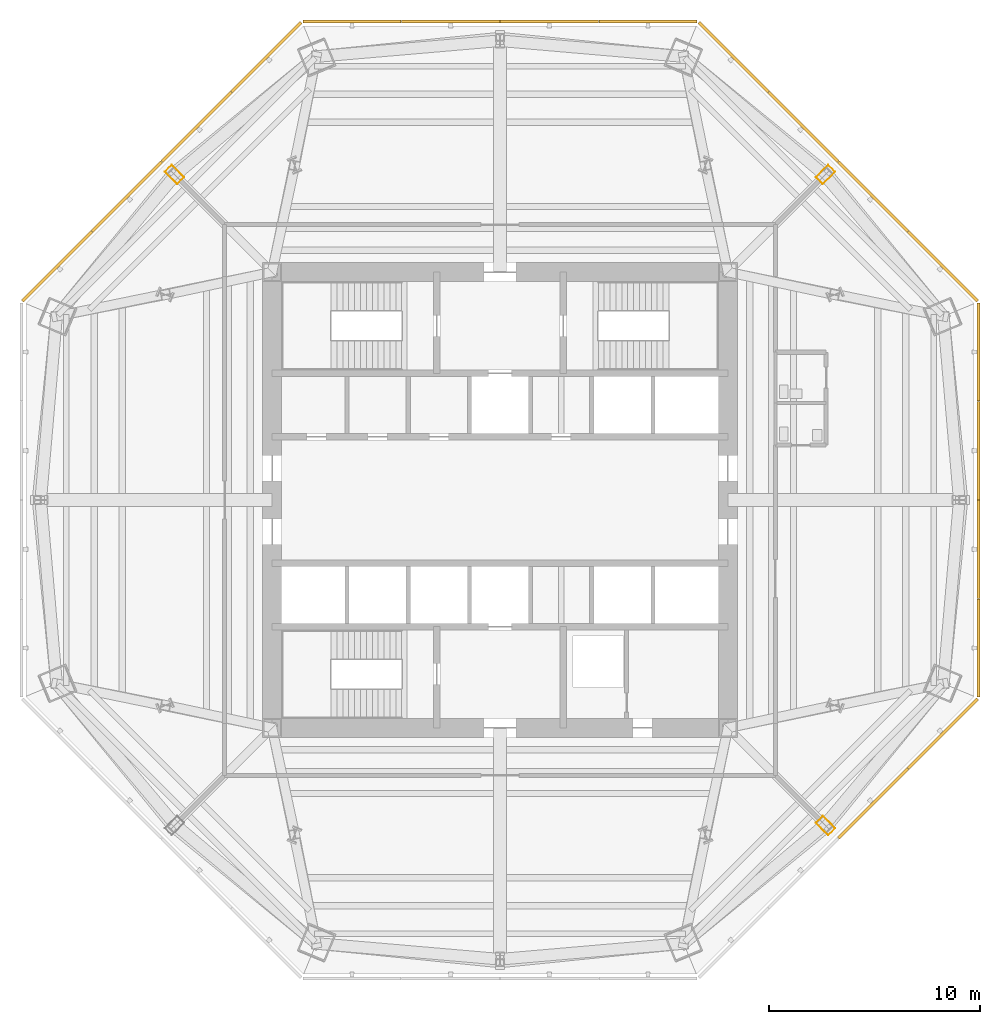
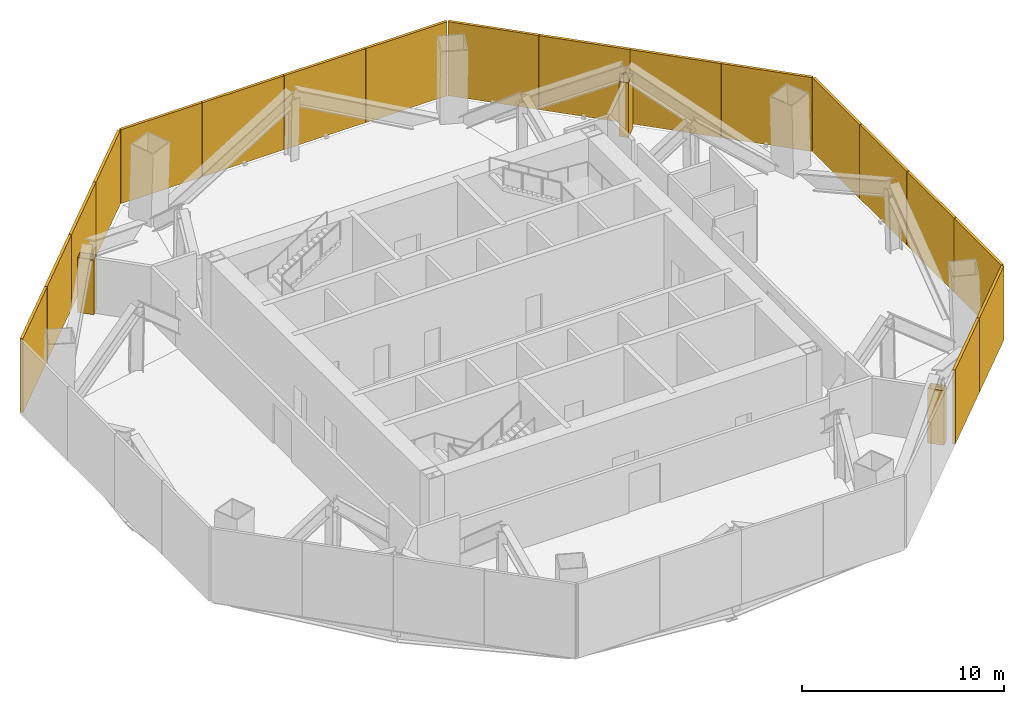
# One storey, part 8 of 9: 18 shading devices, 3 coverings.
"""IFC4 building model written with IfcOpenShell, lengths in metres."""

from ifc_helpers import new_model, si_unit, direction, frame, origin, origin_2d, place, context, subcontext, project, spatial, polyline, rectangle, outline, extrude, source, transform, mapped, material, layer, layer_set, type_object, type_shapes, element, save


model = new_model("IFC4")

# Units and contexts
model_context = context("Model", 3, precision=1e-05, world=origin(), true_north=direction((0.0, 1.0)))
body_context = subcontext(model_context, "Body", "Model", "MODEL_VIEW")
ifc_project = project(units=[si_unit("LENGTHUNIT", "METRE"), si_unit("AREAUNIT", "SQUARE_METRE"), si_unit("VOLUMEUNIT", "CUBIC_METRE"), si_unit("PLANEANGLEUNIT", "RADIAN"), si_unit("MASSUNIT", "GRAM", prefix="KILO")], contexts=[model_context])

# Site, building, storey
site_placement = place(None, origin())
site = spatial("IfcSite", under=ifc_project, at=site_placement, CompositionType="ELEMENT")
building_placement = place(site_placement, origin())
building = spatial("IfcBuilding", under=site, at=building_placement, Name="Mashrafa Tower", CompositionType="ELEMENT")
storey_placement = place(building_placement, frame((0.0, 0.0, 189.0)))
storey = spatial("IfcBuildingStorey", under=building, at=storey_placement, Name="L43", CompositionType="ELEMENT", Elevation=189.0)

# Coverings
ifc_material_1 = material(Name="Gypsum board")
ifc_layer_1 = layer(ifc_material_1, 0.014892578125)
ifc_layer_set_1 = layer_set([ifc_layer_1], Name="Column casing plasterboard 15")
covering_type = type_object("IfcCoveringType", Name="Column casing plasterboard 15", PredefinedType="CLADDING", material=ifc_layer_set_1)
covering_1_placement = place(storey_placement, origin())
element("IfcCovering", 1, at=covering_1_placement, inside=storey, type_object=covering_type, Name="Column casing L43-001", PredefinedType="CLADDING", context=body_context, shape_type="SweptSolid", body=[
    extrude(outline(polyline([(14.959228515625, 15.298583984375), (15.551513671875, 15.89111328125), (15.89111328125, 15.551513671875), (15.298583984375, 14.959228515625), (14.959228515625, 15.298583984375)]), holes=[polyline([(15.869873046875, 15.551513671875), (15.551513671875, 15.869873046875), (14.98046875, 15.298583984375), (15.298583984375, 14.98046875), (15.869873046875, 15.551513671875)])]), origin(), (0.0, 0.0, 1.0), 3.31298828125),
])
covering_2_placement = place(storey_placement, origin())
element("IfcCovering", 2, at=covering_2_placement, inside=storey, type_object=covering_type, Name="Column casing L43-002", PredefinedType="CLADDING", context=body_context, shape_type="SweptSolid", body=[
    extrude(outline(polyline([(-15.89111328125, 15.551513671875), (-15.551513671875, 15.89111328125), (-14.959228515625, 15.298583984375), (-15.298583984375, 14.959228515625), (-15.89111328125, 15.551513671875)]), holes=[polyline([(-14.98046875, 15.298583984375), (-15.551513671875, 15.869873046875), (-15.869873046875, 15.551513671875), (-15.298583984375, 14.98046875), (-14.98046875, 15.298583984375)])]), origin(), (0.0, 0.0, 1.0), 3.31298828125),
])
covering_3_placement = place(storey_placement, origin())
element("IfcCovering", 3, at=covering_3_placement, inside=storey, type_object=covering_type, Name="Column casing L43-004", PredefinedType="CLADDING", context=body_context, shape_type="SweptSolid", body=[
    extrude(outline(polyline([(14.959228515625, -15.298583984375), (15.298583984375, -14.959228515625), (15.89111328125, -15.551513671875), (15.551513671875, -15.89111328125), (14.959228515625, -15.298583984375)]), holes=[polyline([(15.869873046875, -15.551513671875), (15.298583984375, -14.98046875), (14.98046875, -15.298583984375), (15.551513671875, -15.869873046875), (15.869873046875, -15.551513671875)])]), origin(), (0.0, 0.0, 1.0), 3.31298828125),
])

# Shading devices
ifc_material_2 = material(Name="Extruded aluminium weather louvre", Category="aluminium")
ifc_layer_2 = layer(ifc_material_2, 0.14990234375)
ifc_layer_set_2 = layer_set([ifc_layer_2], Name="Plant louvre screen 150")
shading_device_type = type_object("IfcShadingDeviceType", Name="Plant louvre screen 150", PredefinedType="SHUTTER", material=ifc_layer_set_2)
shared_shape = source(origin(), body_context, "Body", "SweptSolid", [
    extrude(rectangle(XDim=4.654296875, YDim=0.14990234375, at=origin_2d()), origin(), (0.0, 0.0, 1.0), 4.47998046875),
])
type_shapes(shading_device_type, [shared_shape])
for number, where, z_axis, x_axis, name in (
    (4, (22.668212890625, -7.01123046875, 0.0), (0.0, 0.0, 1.0), (0.0, 1.0, 0.0), "Plant louvre screen L43 east 1"),
    (5, (22.668212890625, -2.337158203125, 0.0), (0.0, 0.0, 1.0), (0.0, 1.0, 0.0), "Plant louvre screen L43 east 2"),
    (6, (22.668212890625, 2.337158203125, 0.0), (0.0, 0.0, 1.0), (0.0, 1.0, 0.0), "Plant louvre screen L43 east 3"),
    (7, (22.668212890625, 7.01123046875, 0.0), (0.0, 0.0, 1.0), (0.0, 1.0, 0.0), "Plant louvre screen L43 east 4"),
    (8, (20.986572265625, 11.071044921875, 0.0), (0.0, 0.0, 1.0), (-0.707106781187, 0.707106781187, 0.0), "Plant louvre screen L43 north-east 1"),
    (9, (17.681396484375, 14.376220703125, 0.0), (0.0, 0.0, 1.0), (-0.707106781187, 0.707106781187, 0.0), "Plant louvre screen L43 north-east 2"),
    (10, (14.376220703125, 17.681396484375, 0.0), (0.0, 0.0, 1.0), (-0.707106781187, 0.707106781187, 0.0), "Plant louvre screen L43 north-east 3"),
    (11, (11.071044921875, 20.986572265625, 0.0), (0.0, 0.0, 1.0), (-0.707106781187, 0.707106781187, 0.0), "Plant louvre screen L43 north-east 4"),
    (12, (7.01123046875, 22.668212890625, 0.0), (0.0, 0.0, 1.0), (-1.0, 0.0, 0.0), "Plant louvre screen L43 north 1"),
    (13, (2.337158203125, 22.668212890625, 0.0), (0.0, 0.0, 1.0), (-1.0, 0.0, 0.0), "Plant louvre screen L43 north 2"),
    (14, (-2.337158203125, 22.668212890625, 0.0), (0.0, 0.0, 1.0), (-1.0, 0.0, 0.0), "Plant louvre screen L43 north 3"),
    (15, (-7.01123046875, 22.668212890625, 0.0), (0.0, 0.0, 1.0), (-1.0, 0.0, 0.0), "Plant louvre screen L43 north 4"),
    (16, (-11.071044921875, 20.986572265625, 0.0), (0.0, 0.0, 1.0), (-0.707106781187, -0.707106781187, 0.0), "Plant louvre screen L43 north-west 1"),
    (17, (-14.376220703125, 17.681396484375, 0.0), (0.0, 0.0, 1.0), (-0.707106781187, -0.707106781187, 0.0), "Plant louvre screen L43 north-west 2"),
    (18, (-17.681396484375, 14.376220703125, 0.0), (0.0, 0.0, 1.0), (-0.707106781187, -0.707106781187, 0.0), "Plant louvre screen L43 north-west 3"),
    (19, (-20.986572265625, 11.071044921875, 0.0), (0.0, 0.0, 1.0), (-0.707106781187, -0.707106781187, 0.0), "Plant louvre screen L43 north-west 4"),
    (20, (17.681396484375, -14.376220703125, 0.0), (0.0, 0.0, 1.0), (0.707106781187, 0.707106781187, 0.0), "Plant louvre screen L43 south-east 3"),
    (21, (20.986572265625, -11.071044921875, 0.0), (0.0, 0.0, 1.0), (0.707106781187, 0.707106781187, 0.0), "Plant louvre screen L43 south-east 4"),
):
    element("IfcShadingDevice", number, at=place(storey_placement, frame(where, z_axis=z_axis, x_axis=x_axis)), inside=storey, type_object=shading_device_type, Name=name, PredefinedType="SHUTTER", context=body_context, shape_type="MappedRepresentation", body=[
        mapped(shared_shape, transform((0.0, 0.0, 0.0))),
    ])

save(model, "model.ifc")
